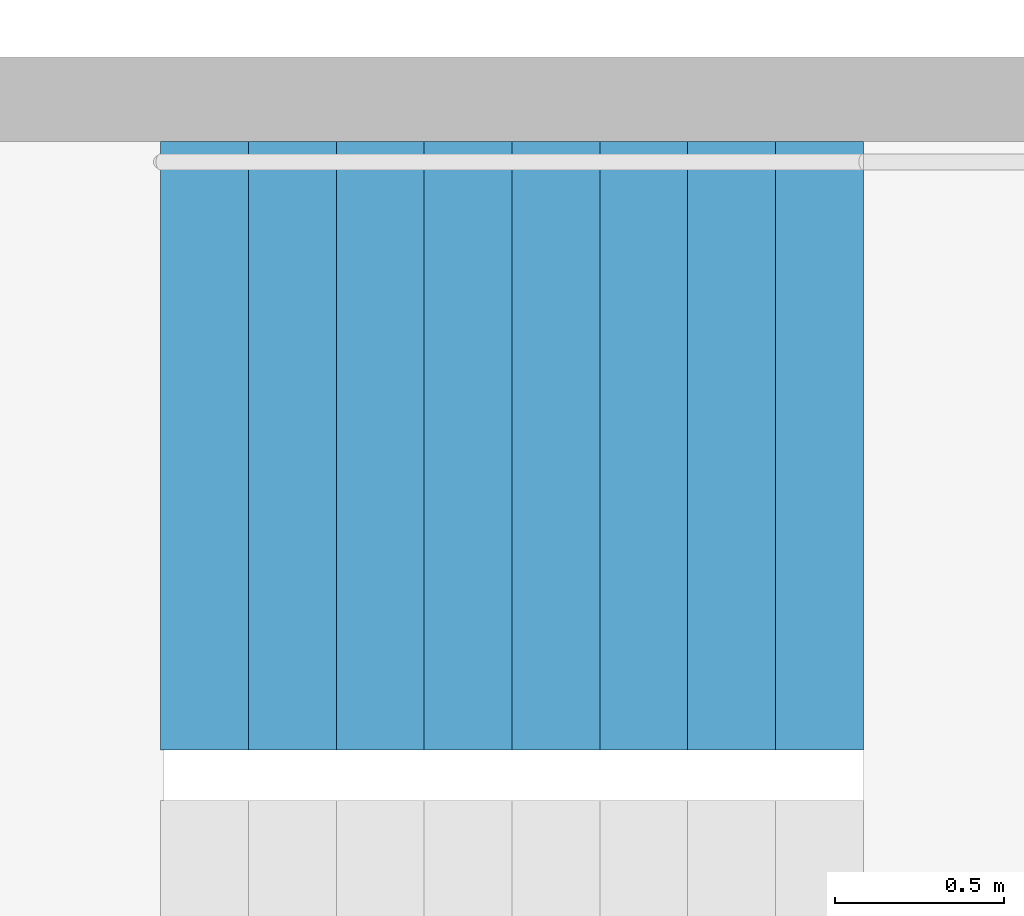
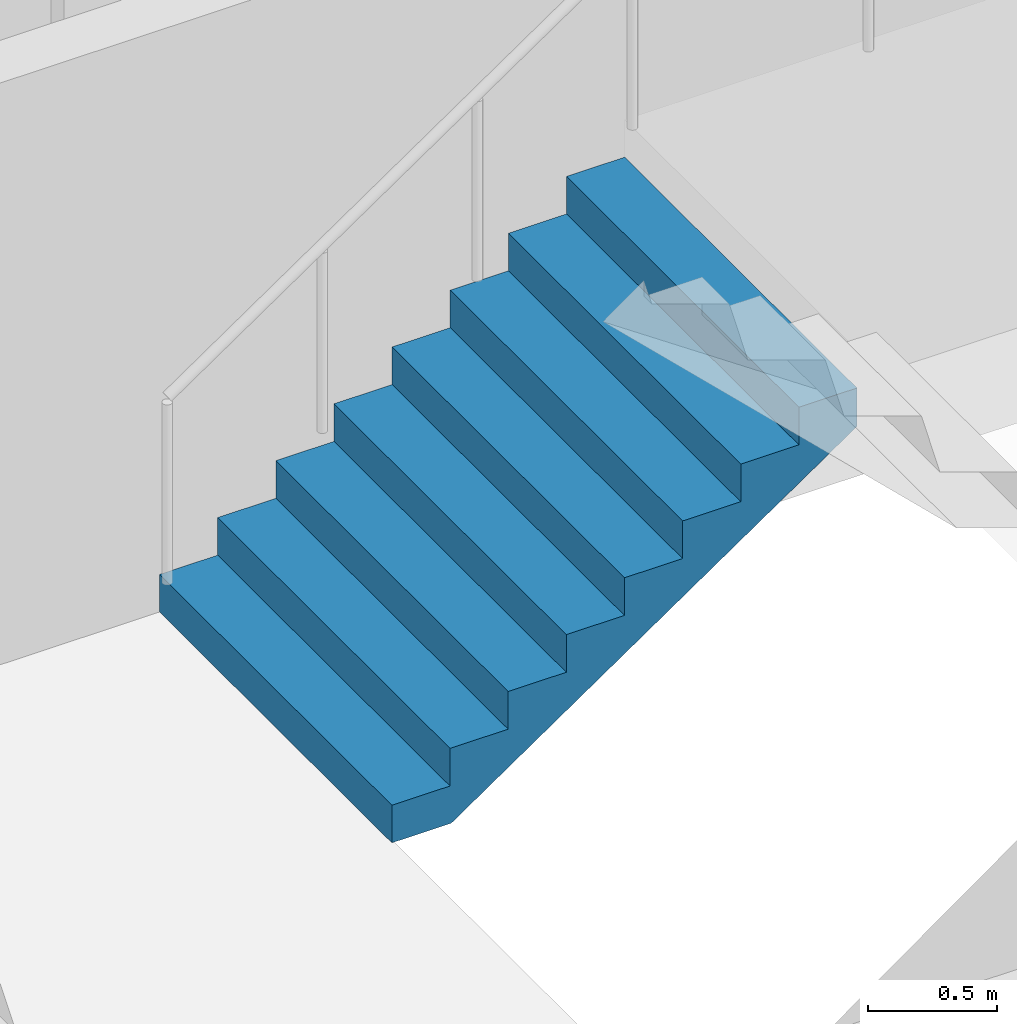
# One storey, part 22 of 29: 1 stair flight, 1 element without a shape of its own.
"""IFC4 building model written with IfcOpenShell, lengths in metres."""

from ifc_helpers import new_model, si_unit, direction, frame, origin, place, context, subcontext, project, spatial, triangles, material, type_object, element, aggregate, save


model = new_model("IFC4")

# Units and contexts
model_context = context("Model", 3, precision=1e-05, world=origin(), true_north=direction((0.0, 1.0)))
body_context = subcontext(model_context, "Body", "Model", "MODEL_VIEW")
ifc_project = project(units=[si_unit("LENGTHUNIT", "METRE"), si_unit("AREAUNIT", "SQUARE_METRE"), si_unit("VOLUMEUNIT", "CUBIC_METRE"), si_unit("PLANEANGLEUNIT", "RADIAN"), si_unit("MASSUNIT", "GRAM", prefix="KILO")], contexts=[model_context])

# Site, building, storey
site_placement = place(None, origin())
site = spatial("IfcSite", under=ifc_project, at=site_placement, CompositionType="ELEMENT")
building_placement = place(site_placement, origin())
building = spatial("IfcBuilding", under=site, at=building_placement, Name="Hakoniwa Tower and Hamabe Station Hall", CompositionType="ELEMENT")
storey_placement = place(building_placement, frame((0.0, 0.0, 258.199951171875)))
storey = spatial("IfcBuildingStorey", under=building, at=storey_placement, Name="L73", CompositionType="ELEMENT", Elevation=258.199951171875)

# Stair, stair flight
ifc_material_1 = material(Name="Concrete C40", Category="concrete")
stair_type = type_object("IfcStairType", Name="ESCAPE STAIR 1800", PredefinedType="HALF_TURN_STAIR", material=ifc_material_1)
stair_placement = place(storey_placement, origin())
stair = element("IfcStair", 1, at=stair_placement, inside=storey, type_object=stair_type, Name="Escape stair ST-4 L73", PredefinedType="HALF_TURN_STAIR")
ifc_material_2 = material(Name="Concrete C40", Category="concrete")
stair_flight_type = type_object("IfcStairFlightType", Name="STAIR FLIGHT 1800", PredefinedType="STRAIGHT", material=ifc_material_2)
stair_flight_placement = place(storey_placement, frame((23.39990234375, -4.64990234375, 0.0), z_axis=(0.0, 0.0, 1.0), x_axis=(1.0, 0.0, 0.0)))
stair_flight = element("IfcStairFlight", 2, at=stair_flight_placement, type_object=stair_flight_type, Name="ST-4 flight 1", NumberOfRisers=9, NumberOfTreads=8, PredefinedType="STRAIGHT", RiserHeight=0.177777778, TreadLength=0.26, context=body_context, shape_type="Tessellation", body=[
    triangles([(0.0, 0.89990234375, 0.0), (0.260009765625, 0.89990234375, 0.0), (0.265625, 0.89990234375, 0.0), (0.52001953125, 0.89990234375, 0.174072265625), (0.780029296875, 0.89990234375, 0.351806640625), (1.0400390625, 0.89990234375, 0.529541015625), (1.300048828125, 0.89990234375, 0.707275390625), (1.56005859375, 0.89990234375, 0.885009765625), (1.820068359375, 0.89990234375, 1.062744140625), (2.080078125, 0.89990234375, 1.24072265625), (2.080078125, 0.89990234375, 1.422119140625), (1.820068359375, 0.89990234375, 1.422119140625), (1.820068359375, 0.89990234375, 1.244384765625), (1.56005859375, 0.89990234375, 1.244384765625), (1.56005859375, 0.89990234375, 1.066650390625), (1.300048828125, 0.89990234375, 1.066650390625), (1.300048828125, 0.89990234375, 0.888916015625), (1.0400390625, 0.89990234375, 0.888916015625), (1.0400390625, 0.89990234375, 0.711181640625), (0.780029296875, 0.89990234375, 0.711181640625), (0.780029296875, 0.89990234375, 0.533447265625), (0.52001953125, 0.89990234375, 0.533447265625), (0.52001953125, 0.89990234375, 0.35546875), (0.265625, 0.89990234375, 0.35546875), (0.260009765625, 0.89990234375, 0.35546875), (0.260009765625, 0.89990234375, 0.177734375), (0.0, 0.89990234375, 0.177734375), (0.0, 0.06005859375, 0.0), (0.260009765625, 0.06005859375, 0.0), (0.265625, 0.06005859375, 0.0), (0.52001953125, 0.06005859375, 0.174072265625), (0.780029296875, 0.06005859375, 0.351806640625), (1.0400390625, 0.06005859375, 0.529541015625), (1.300048828125, 0.06005859375, 0.707275390625), (1.56005859375, 0.06005859375, 0.885009765625), (1.820068359375, 0.06005859375, 1.062744140625), (2.080078125, 0.06005859375, 1.24072265625), (2.080078125, 0.06005859375, 1.422119140625), (1.820068359375, 0.06005859375, 1.422119140625), (1.820068359375, 0.06005859375, 1.244384765625), (1.56005859375, 0.06005859375, 1.244384765625), (1.56005859375, 0.06005859375, 1.066650390625), (1.300048828125, 0.06005859375, 1.066650390625), (1.300048828125, 0.06005859375, 0.888916015625), (1.0400390625, 0.06005859375, 0.888916015625), (1.0400390625, 0.06005859375, 0.711181640625), (0.780029296875, 0.06005859375, 0.711181640625), (0.780029296875, 0.06005859375, 0.533447265625), (0.52001953125, 0.06005859375, 0.533447265625), (0.52001953125, 0.06005859375, 0.35546875), (0.265625, 0.06005859375, 0.35546875), (0.260009765625, 0.06005859375, 0.35546875), (0.260009765625, 0.06005859375, 0.177734375), (0.0, 0.06005859375, 0.177734375), (0.0, 0.04296875, 0.0), (0.260009765625, 0.04296875, 0.0), (0.265625, 0.04296875, 0.0), (0.52001953125, 0.04296875, 0.174072265625), (0.780029296875, 0.04296875, 0.351806640625), (1.0400390625, 0.04296875, 0.529541015625), (1.300048828125, 0.04296875, 0.707275390625), (1.56005859375, 0.04296875, 0.885009765625), (1.820068359375, 0.04296875, 1.062744140625), (2.080078125, 0.04296875, 1.24072265625), (2.080078125, 0.04296875, 1.422119140625), (1.820068359375, 0.04296875, 1.422119140625), (1.820068359375, 0.04296875, 1.244384765625), (1.56005859375, 0.04296875, 1.244384765625), (1.56005859375, 0.04296875, 1.066650390625), (1.300048828125, 0.04296875, 1.066650390625), (1.300048828125, 0.04296875, 0.888916015625), (1.0400390625, 0.04296875, 0.888916015625), (1.0400390625, 0.04296875, 0.711181640625), (0.780029296875, 0.04296875, 0.711181640625), (0.780029296875, 0.04296875, 0.533447265625), (0.52001953125, 0.04296875, 0.533447265625), (0.52001953125, 0.04296875, 0.35546875), (0.265625, 0.04296875, 0.35546875), (0.260009765625, 0.04296875, 0.35546875), (0.260009765625, 0.04296875, 0.177734375), (0.0, 0.04296875, 0.177734375), (0.0, 0.025634765625, 0.0), (0.260009765625, 0.025634765625, 0.0), (0.265625, 0.025634765625, 0.0), (0.52001953125, 0.025634765625, 0.174072265625), (0.780029296875, 0.025634765625, 0.351806640625), (1.0400390625, 0.025634765625, 0.529541015625), (1.300048828125, 0.025634765625, 0.707275390625), (1.56005859375, 0.025634765625, 0.885009765625), (1.820068359375, 0.025634765625, 1.062744140625), (2.080078125, 0.025634765625, 1.24072265625), (2.080078125, 0.025634765625, 1.422119140625), (1.820068359375, 0.025634765625, 1.422119140625), (1.820068359375, 0.025634765625, 1.244384765625), (1.56005859375, 0.025634765625, 1.244384765625), (1.56005859375, 0.025634765625, 1.066650390625), (1.300048828125, 0.025634765625, 1.066650390625), (1.300048828125, 0.025634765625, 0.888916015625), (1.0400390625, 0.025634765625, 0.888916015625), (1.0400390625, 0.025634765625, 0.711181640625), (0.780029296875, 0.025634765625, 0.711181640625), (0.780029296875, 0.025634765625, 0.533447265625), (0.52001953125, 0.025634765625, 0.533447265625), (0.52001953125, 0.025634765625, 0.35546875), (0.265625, 0.025634765625, 0.35546875), (0.260009765625, 0.025634765625, 0.35546875), (0.260009765625, 0.025634765625, 0.177734375), (0.0, 0.025634765625, 0.177734375), (0.0, 0.008544921875, 0.0), (0.260009765625, 0.008544921875, 0.0), (0.265625, 0.008544921875, 0.0), (0.52001953125, 0.008544921875, 0.174072265625), (0.780029296875, 0.008544921875, 0.351806640625), (1.0400390625, 0.008544921875, 0.529541015625), (1.300048828125, 0.008544921875, 0.707275390625), (1.56005859375, 0.008544921875, 0.885009765625), (1.820068359375, 0.008544921875, 1.062744140625), (2.080078125, 0.008544921875, 1.24072265625), (2.080078125, 0.008544921875, 1.422119140625), (1.820068359375, 0.008544921875, 1.422119140625), (1.820068359375, 0.008544921875, 1.244384765625), (1.56005859375, 0.008544921875, 1.244384765625), (1.56005859375, 0.008544921875, 1.066650390625), (1.300048828125, 0.008544921875, 1.066650390625), (1.300048828125, 0.008544921875, 0.888916015625), (1.0400390625, 0.008544921875, 0.888916015625), (1.0400390625, 0.008544921875, 0.711181640625), (0.780029296875, 0.008544921875, 0.711181640625), (0.780029296875, 0.008544921875, 0.533447265625), (0.52001953125, 0.008544921875, 0.533447265625), (0.52001953125, 0.008544921875, 0.35546875), (0.265625, 0.008544921875, 0.35546875), (0.260009765625, 0.008544921875, 0.35546875), (0.260009765625, 0.008544921875, 0.177734375), (0.0, 0.008544921875, 0.177734375), (0.0, -0.008544921875, 0.0), (0.260009765625, -0.008544921875, 0.0), (0.265625, -0.008544921875, 0.0), (0.52001953125, -0.008544921875, 0.174072265625), (0.780029296875, -0.008544921875, 0.351806640625), (1.0400390625, -0.008544921875, 0.529541015625), (1.300048828125, -0.008544921875, 0.707275390625), (1.56005859375, -0.008544921875, 0.885009765625), (1.820068359375, -0.008544921875, 1.062744140625), (2.080078125, -0.008544921875, 1.24072265625), (2.080078125, -0.008544921875, 1.422119140625), (1.820068359375, -0.008544921875, 1.422119140625), (1.820068359375, -0.008544921875, 1.244384765625), (1.56005859375, -0.008544921875, 1.244384765625), (1.56005859375, -0.008544921875, 1.066650390625), (1.300048828125, -0.008544921875, 1.066650390625), (1.300048828125, -0.008544921875, 0.888916015625), (1.0400390625, -0.008544921875, 0.888916015625), (1.0400390625, -0.008544921875, 0.711181640625), (0.780029296875, -0.008544921875, 0.711181640625), (0.780029296875, -0.008544921875, 0.533447265625), (0.52001953125, -0.008544921875, 0.533447265625), (0.52001953125, -0.008544921875, 0.35546875), (0.265625, -0.008544921875, 0.35546875), (0.260009765625, -0.008544921875, 0.35546875), (0.260009765625, -0.008544921875, 0.177734375), (0.0, -0.008544921875, 0.177734375), (0.0, -0.025634765625, 0.0), (0.260009765625, -0.025634765625, 0.0), (0.265625, -0.025634765625, 0.0), (0.52001953125, -0.025634765625, 0.174072265625), (0.780029296875, -0.025634765625, 0.351806640625), (1.0400390625, -0.025634765625, 0.529541015625), (1.300048828125, -0.025634765625, 0.707275390625), (1.56005859375, -0.025634765625, 0.885009765625), (1.820068359375, -0.025634765625, 1.062744140625), (2.080078125, -0.025634765625, 1.24072265625), (2.080078125, -0.025634765625, 1.422119140625), (1.820068359375, -0.025634765625, 1.422119140625), (1.820068359375, -0.025634765625, 1.244384765625), (1.56005859375, -0.025634765625, 1.244384765625), (1.56005859375, -0.025634765625, 1.066650390625), (1.300048828125, -0.025634765625, 1.066650390625), (1.300048828125, -0.025634765625, 0.888916015625), (1.0400390625, -0.025634765625, 0.888916015625), (1.0400390625, -0.025634765625, 0.711181640625), (0.780029296875, -0.025634765625, 0.711181640625), (0.780029296875, -0.025634765625, 0.533447265625), (0.52001953125, -0.025634765625, 0.533447265625), (0.52001953125, -0.025634765625, 0.35546875), (0.265625, -0.025634765625, 0.35546875), (0.260009765625, -0.025634765625, 0.35546875), (0.260009765625, -0.025634765625, 0.177734375), (0.0, -0.025634765625, 0.177734375), (0.0, -0.04296875, 0.0), (0.260009765625, -0.04296875, 0.0), (0.265625, -0.04296875, 0.0), (0.52001953125, -0.04296875, 0.174072265625), (0.780029296875, -0.04296875, 0.351806640625), (1.0400390625, -0.04296875, 0.529541015625), (1.300048828125, -0.04296875, 0.707275390625), (1.56005859375, -0.04296875, 0.885009765625), (1.820068359375, -0.04296875, 1.062744140625), (2.080078125, -0.04296875, 1.24072265625), (2.080078125, -0.04296875, 1.422119140625), (1.820068359375, -0.04296875, 1.422119140625), (1.820068359375, -0.04296875, 1.244384765625), (1.56005859375, -0.04296875, 1.244384765625), (1.56005859375, -0.04296875, 1.066650390625), (1.300048828125, -0.04296875, 1.066650390625), (1.300048828125, -0.04296875, 0.888916015625), (1.0400390625, -0.04296875, 0.888916015625), (1.0400390625, -0.04296875, 0.711181640625), (0.780029296875, -0.04296875, 0.711181640625), (0.780029296875, -0.04296875, 0.533447265625), (0.52001953125, -0.04296875, 0.533447265625), (0.52001953125, -0.04296875, 0.35546875), (0.265625, -0.04296875, 0.35546875), (0.260009765625, -0.04296875, 0.35546875), (0.260009765625, -0.04296875, 0.177734375), (0.0, -0.04296875, 0.177734375), (0.0, -0.06005859375, 0.0), (0.260009765625, -0.06005859375, 0.0), (0.265625, -0.06005859375, 0.0), (0.52001953125, -0.06005859375, 0.174072265625), (0.780029296875, -0.06005859375, 0.351806640625), (1.0400390625, -0.06005859375, 0.529541015625), (1.300048828125, -0.06005859375, 0.707275390625), (1.56005859375, -0.06005859375, 0.885009765625), (1.820068359375, -0.06005859375, 1.062744140625), (2.080078125, -0.06005859375, 1.24072265625), (2.080078125, -0.06005859375, 1.422119140625), (1.820068359375, -0.06005859375, 1.422119140625), (1.820068359375, -0.06005859375, 1.244384765625), (1.56005859375, -0.06005859375, 1.244384765625), (1.56005859375, -0.06005859375, 1.066650390625), (1.300048828125, -0.06005859375, 1.066650390625), (1.300048828125, -0.06005859375, 0.888916015625), (1.0400390625, -0.06005859375, 0.888916015625), (1.0400390625, -0.06005859375, 0.711181640625), (0.780029296875, -0.06005859375, 0.711181640625), (0.780029296875, -0.06005859375, 0.533447265625), (0.52001953125, -0.06005859375, 0.533447265625), (0.52001953125, -0.06005859375, 0.35546875), (0.265625, -0.06005859375, 0.35546875), (0.260009765625, -0.06005859375, 0.35546875), (0.260009765625, -0.06005859375, 0.177734375), (0.0, -0.06005859375, 0.177734375), (0.0, -0.89990234375, 0.0), (0.260009765625, -0.89990234375, 0.0), (0.265625, -0.89990234375, 0.0), (0.52001953125, -0.89990234375, 0.174072265625), (0.780029296875, -0.89990234375, 0.351806640625), (1.0400390625, -0.89990234375, 0.529541015625), (1.300048828125, -0.89990234375, 0.707275390625), (1.56005859375, -0.89990234375, 0.885009765625), (1.820068359375, -0.89990234375, 1.062744140625), (2.080078125, -0.89990234375, 1.24072265625), (2.080078125, -0.89990234375, 1.422119140625), (1.820068359375, -0.89990234375, 1.422119140625), (1.820068359375, -0.89990234375, 1.244384765625), (1.56005859375, -0.89990234375, 1.244384765625), (1.56005859375, -0.89990234375, 1.066650390625), (1.300048828125, -0.89990234375, 1.066650390625), (1.300048828125, -0.89990234375, 0.888916015625), (1.0400390625, -0.89990234375, 0.888916015625), (1.0400390625, -0.89990234375, 0.711181640625), (0.780029296875, -0.89990234375, 0.711181640625), (0.780029296875, -0.89990234375, 0.533447265625), (0.52001953125, -0.89990234375, 0.533447265625), (0.52001953125, -0.89990234375, 0.35546875), (0.265625, -0.89990234375, 0.35546875), (0.260009765625, -0.89990234375, 0.35546875), (0.260009765625, -0.89990234375, 0.177734375), (0.0, -0.89990234375, 0.177734375)], [[2, 27, 26], [245, 269, 270], [2, 1, 27], [245, 270, 244], [3, 25, 24], [246, 267, 268], [3, 26, 25], [246, 268, 269], [3, 2, 26], [246, 269, 245], [4, 24, 23], [247, 266, 267], [4, 3, 24], [247, 267, 246], [5, 22, 21], [248, 264, 265], [5, 23, 22], [248, 265, 266], [5, 4, 23], [248, 266, 247], [6, 20, 19], [249, 262, 263], [6, 21, 20], [249, 263, 264], [6, 5, 21], [249, 264, 248], [7, 18, 17], [250, 260, 261], [7, 19, 18], [250, 261, 262], [7, 6, 19], [250, 262, 249], [8, 16, 15], [251, 258, 259], [8, 17, 16], [251, 259, 260], [8, 7, 17], [251, 260, 250], [9, 14, 13], [252, 256, 257], [9, 15, 14], [252, 257, 258], [9, 8, 15], [252, 258, 251], [10, 12, 11], [253, 254, 255], [10, 13, 12], [253, 255, 256], [10, 9, 13], [253, 256, 252], [1, 2, 29], [1, 29, 28], [28, 29, 56], [28, 56, 55], [55, 56, 83], [55, 83, 82], [82, 83, 110], [82, 110, 109], [109, 110, 137], [109, 137, 136], [136, 137, 164], [136, 164, 163], [163, 164, 191], [163, 191, 190], [190, 191, 218], [190, 218, 217], [217, 218, 245], [217, 245, 244], [2, 3, 30], [2, 30, 29], [29, 30, 57], [29, 57, 56], [56, 57, 84], [56, 84, 83], [83, 84, 111], [83, 111, 110], [110, 111, 138], [110, 138, 137], [137, 138, 165], [137, 165, 164], [164, 165, 192], [164, 192, 191], [191, 192, 219], [191, 219, 218], [218, 219, 246], [218, 246, 245], [3, 4, 31], [3, 31, 30], [30, 31, 58], [30, 58, 57], [57, 58, 85], [57, 85, 84], [84, 85, 112], [84, 112, 111], [111, 112, 139], [111, 139, 138], [138, 139, 166], [138, 166, 165], [165, 166, 193], [165, 193, 192], [192, 193, 220], [192, 220, 219], [219, 220, 247], [219, 247, 246], [4, 5, 32], [4, 32, 31], [31, 32, 59], [31, 59, 58], [58, 59, 86], [58, 86, 85], [85, 86, 113], [85, 113, 112], [112, 113, 140], [112, 140, 139], [139, 140, 167], [139, 167, 166], [166, 167, 194], [166, 194, 193], [193, 194, 221], [193, 221, 220], [220, 221, 248], [220, 248, 247], [5, 6, 33], [5, 33, 32], [32, 33, 60], [32, 60, 59], [59, 60, 87], [59, 87, 86], [86, 87, 114], [86, 114, 113], [113, 114, 141], [113, 141, 140], [140, 141, 168], [140, 168, 167], [167, 168, 195], [167, 195, 194], [194, 195, 222], [194, 222, 221], [221, 222, 249], [221, 249, 248], [6, 7, 34], [6, 34, 33], [33, 34, 61], [33, 61, 60], [60, 61, 88], [60, 88, 87], [87, 88, 115], [87, 115, 114], [114, 115, 142], [114, 142, 141], [141, 142, 169], [141, 169, 168], [168, 169, 196], [168, 196, 195], [195, 196, 223], [195, 223, 222], [222, 223, 250], [222, 250, 249], [7, 8, 35], [7, 35, 34], [34, 35, 62], [34, 62, 61], [61, 62, 89], [61, 89, 88], [88, 89, 116], [88, 116, 115], [115, 116, 143], [115, 143, 142], [142, 143, 170], [142, 170, 169], [169, 170, 197], [169, 197, 196], [196, 197, 224], [196, 224, 223], [223, 224, 251], [223, 251, 250], [8, 9, 36], [8, 36, 35], [35, 36, 63], [35, 63, 62], [62, 63, 90], [62, 90, 89], [89, 90, 117], [89, 117, 116], [116, 117, 144], [116, 144, 143], [143, 144, 171], [143, 171, 170], [170, 171, 198], [170, 198, 197], [197, 198, 225], [197, 225, 224], [224, 225, 252], [224, 252, 251], [9, 10, 37], [9, 37, 36], [36, 37, 64], [36, 64, 63], [63, 64, 91], [63, 91, 90], [90, 91, 118], [90, 118, 117], [117, 118, 145], [117, 145, 144], [144, 145, 172], [144, 172, 171], [171, 172, 199], [171, 199, 198], [198, 199, 226], [198, 226, 225], [225, 226, 253], [225, 253, 252], [10, 11, 38], [10, 38, 37], [37, 38, 65], [37, 65, 64], [64, 65, 92], [64, 92, 91], [91, 92, 119], [91, 119, 118], [118, 119, 146], [118, 146, 145], [145, 146, 173], [145, 173, 172], [172, 173, 200], [172, 200, 199], [199, 200, 227], [199, 227, 226], [226, 227, 254], [226, 254, 253], [11, 12, 39], [11, 39, 38], [38, 39, 66], [38, 66, 65], [65, 66, 93], [65, 93, 92], [92, 93, 120], [92, 120, 119], [119, 120, 147], [119, 147, 146], [146, 147, 174], [146, 174, 173], [173, 174, 201], [173, 201, 200], [200, 201, 228], [200, 228, 227], [227, 228, 255], [227, 255, 254], [12, 13, 40], [12, 40, 39], [39, 40, 67], [39, 67, 66], [66, 67, 94], [66, 94, 93], [93, 94, 121], [93, 121, 120], [120, 121, 148], [120, 148, 147], [147, 148, 175], [147, 175, 174], [174, 175, 202], [174, 202, 201], [201, 202, 229], [201, 229, 228], [228, 229, 256], [228, 256, 255], [13, 14, 41], [13, 41, 40], [40, 41, 68], [40, 68, 67], [67, 68, 95], [67, 95, 94], [94, 95, 122], [94, 122, 121], [121, 122, 149], [121, 149, 148], [148, 149, 176], [148, 176, 175], [175, 176, 203], [175, 203, 202], [202, 203, 230], [202, 230, 229], [229, 230, 257], [229, 257, 256], [14, 15, 42], [14, 42, 41], [41, 42, 69], [41, 69, 68], [68, 69, 96], [68, 96, 95], [95, 96, 123], [95, 123, 122], [122, 123, 150], [122, 150, 149], [149, 150, 177], [149, 177, 176], [176, 177, 204], [176, 204, 203], [203, 204, 231], [203, 231, 230], [230, 231, 258], [230, 258, 257], [15, 16, 43], [15, 43, 42], [42, 43, 70], [42, 70, 69], [69, 70, 97], [69, 97, 96], [96, 97, 124], [96, 124, 123], [123, 124, 151], [123, 151, 150], [150, 151, 178], [150, 178, 177], [177, 178, 205], [177, 205, 204], [204, 205, 232], [204, 232, 231], [231, 232, 259], [231, 259, 258], [16, 17, 44], [16, 44, 43], [43, 44, 71], [43, 71, 70], [70, 71, 98], [70, 98, 97], [97, 98, 125], [97, 125, 124], [124, 125, 152], [124, 152, 151], [151, 152, 179], [151, 179, 178], [178, 179, 206], [178, 206, 205], [205, 206, 233], [205, 233, 232], [232, 233, 260], [232, 260, 259], [17, 18, 45], [17, 45, 44], [44, 45, 72], [44, 72, 71], [71, 72, 99], [71, 99, 98], [98, 99, 126], [98, 126, 125], [125, 126, 153], [125, 153, 152], [152, 153, 180], [152, 180, 179], [179, 180, 207], [179, 207, 206], [206, 207, 234], [206, 234, 233], [233, 234, 261], [233, 261, 260], [18, 19, 46], [18, 46, 45], [45, 46, 73], [45, 73, 72], [72, 73, 100], [72, 100, 99], [99, 100, 127], [99, 127, 126], [126, 127, 154], [126, 154, 153], [153, 154, 181], [153, 181, 180], [180, 181, 208], [180, 208, 207], [207, 208, 235], [207, 235, 234], [234, 235, 262], [234, 262, 261], [19, 20, 47], [19, 47, 46], [46, 47, 74], [46, 74, 73], [73, 74, 101], [73, 101, 100], [100, 101, 128], [100, 128, 127], [127, 128, 155], [127, 155, 154], [154, 155, 182], [154, 182, 181], [181, 182, 209], [181, 209, 208], [208, 209, 236], [208, 236, 235], [235, 236, 263], [235, 263, 262], [20, 21, 48], [20, 48, 47], [47, 48, 75], [47, 75, 74], [74, 75, 102], [74, 102, 101], [101, 102, 129], [101, 129, 128], [128, 129, 156], [128, 156, 155], [155, 156, 183], [155, 183, 182], [182, 183, 210], [182, 210, 209], [209, 210, 237], [209, 237, 236], [236, 237, 264], [236, 264, 263], [21, 22, 49], [21, 49, 48], [48, 49, 76], [48, 76, 75], [75, 76, 103], [75, 103, 102], [102, 103, 130], [102, 130, 129], [129, 130, 157], [129, 157, 156], [156, 157, 184], [156, 184, 183], [183, 184, 211], [183, 211, 210], [210, 211, 238], [210, 238, 237], [237, 238, 265], [237, 265, 264], [22, 23, 50], [22, 50, 49], [49, 50, 77], [49, 77, 76], [76, 77, 104], [76, 104, 103], [103, 104, 131], [103, 131, 130], [130, 131, 158], [130, 158, 157], [157, 158, 185], [157, 185, 184], [184, 185, 212], [184, 212, 211], [211, 212, 239], [211, 239, 238], [238, 239, 266], [238, 266, 265], [23, 24, 51], [23, 51, 50], [50, 51, 78], [50, 78, 77], [77, 78, 105], [77, 105, 104], [104, 105, 132], [104, 132, 131], [131, 132, 159], [131, 159, 158], [158, 159, 186], [158, 186, 185], [185, 186, 213], [185, 213, 212], [212, 213, 240], [212, 240, 239], [239, 240, 267], [239, 267, 266], [24, 25, 52], [24, 52, 51], [51, 52, 79], [51, 79, 78], [78, 79, 106], [78, 106, 105], [105, 106, 133], [105, 133, 132], [132, 133, 160], [132, 160, 159], [159, 160, 187], [159, 187, 186], [186, 187, 214], [186, 214, 213], [213, 214, 241], [213, 241, 240], [240, 241, 268], [240, 268, 267], [25, 26, 53], [25, 53, 52], [52, 53, 80], [52, 80, 79], [79, 80, 107], [79, 107, 106], [106, 107, 134], [106, 134, 133], [133, 134, 161], [133, 161, 160], [160, 161, 188], [160, 188, 187], [187, 188, 215], [187, 215, 214], [214, 215, 242], [214, 242, 241], [241, 242, 269], [241, 269, 268], [26, 27, 54], [26, 54, 53], [53, 54, 81], [53, 81, 80], [80, 81, 108], [80, 108, 107], [107, 108, 135], [107, 135, 134], [134, 135, 162], [134, 162, 161], [161, 162, 189], [161, 189, 188], [188, 189, 216], [188, 216, 215], [215, 216, 243], [215, 243, 242], [242, 243, 270], [242, 270, 269], [27, 1, 28], [27, 28, 54], [54, 28, 55], [54, 55, 81], [81, 55, 82], [81, 82, 108], [108, 82, 109], [108, 109, 135], [135, 109, 136], [135, 136, 162], [162, 136, 163], [162, 163, 189], [189, 163, 190], [189, 190, 216], [216, 190, 217], [216, 217, 243], [243, 217, 244], [243, 244, 270]], closed=True),
])
aggregate(stair, [stair_flight])

save(model, "model.ifc")
